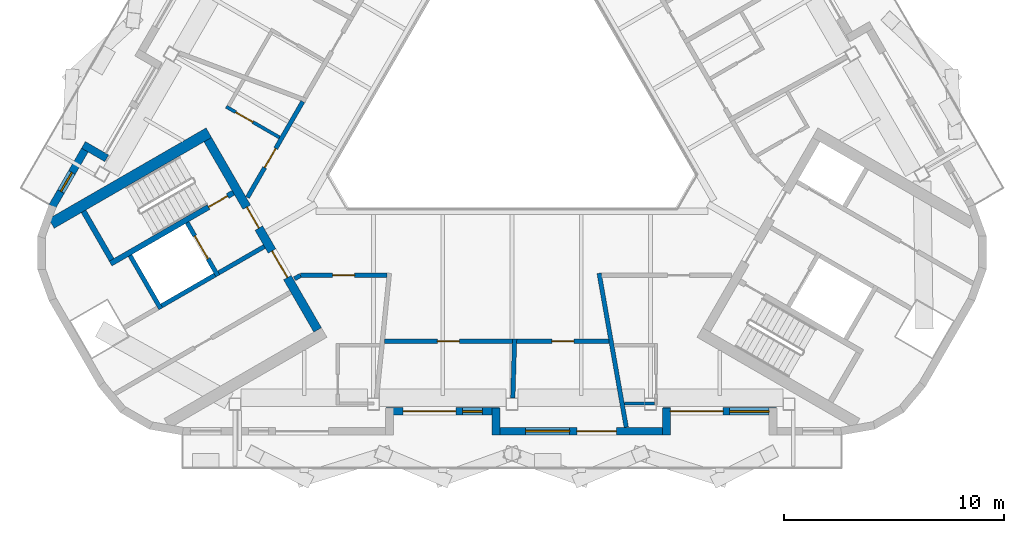
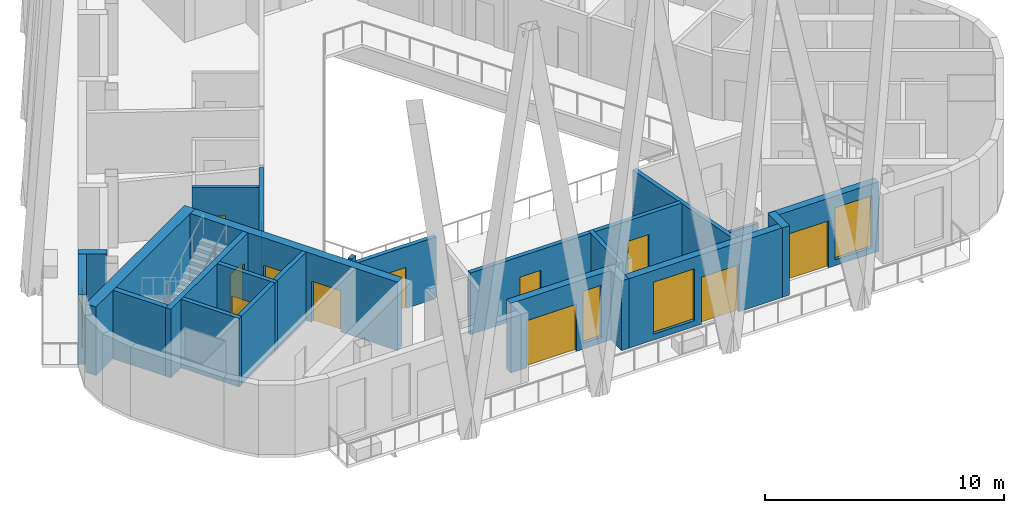
# One storey, part 3 of 12: 24 walls, 12 doors, 4 windows, 16 openings.
"""IFC4 building model written with IfcOpenShell, lengths in metres."""

from ifc_helpers import new_model, si_unit, direction, frame, frame_2d, origin, place, context, subcontext, project, spatial, rectangle, extrude, material, layer, layer_set, type_object, element, fill, save


model = new_model("IFC4")

# Units and contexts
model_context = context("Model", 3, precision=1e-05, world=origin(), true_north=direction((0.0, 1.0)))
body_context = subcontext(model_context, "Body", "Model", "MODEL_VIEW")
ifc_project = project(units=[si_unit("LENGTHUNIT", "METRE"), si_unit("AREAUNIT", "SQUARE_METRE"), si_unit("VOLUMEUNIT", "CUBIC_METRE"), si_unit("PLANEANGLEUNIT", "RADIAN"), si_unit("MASSUNIT", "GRAM", prefix="KILO")], contexts=[model_context])

# Site, building, storey
site_placement = place(None, origin())
site = spatial("IfcSite", under=ifc_project, at=site_placement, CompositionType="ELEMENT")
building_placement = place(site_placement, origin())
building = spatial("IfcBuilding", under=site, at=building_placement, Name="Apuvela Tower Hotel", CompositionType="ELEMENT")
storey_placement = place(building_placement, frame((0.0, 0.0, 324.39990234375)))
storey = spatial("IfcBuildingStorey", under=building, at=storey_placement, Name="L81", CompositionType="ELEMENT", Elevation=324.39990234375)

# Wall, openings, doors
ifc_material_1 = material(Name="Concrete C50/60", Category="concrete")
ifc_layer_1 = layer(ifc_material_1, 0.39990234375)
ifc_layer_set_1 = layer_set([ifc_layer_1], Name="COR-WALL-CORE-400")
wall_type_1 = type_object("IfcWallType", Name="COR-WALL-CORE-400", PredefinedType="SHEAR", material=ifc_layer_set_1)
wall_1_placement = place(storey_placement, frame((-13.844970703125, -2.219970703125, 0.0), z_axis=(0.0, 0.0, 1.0), x_axis=(0.500004234368, -0.866022959057, 0.0)))
wall_1 = element("IfcWall", 1, at=wall_1_placement, inside=storey, type_object=wall_type_1, Name="Core wall SW", PredefinedType="SHEAR", context=body_context, shape_type="SweptSolid", body=[
    extrude(rectangle(XDim=10.0, YDim=0.39990234375, at=frame_2d((5.0, 0.0))), origin(), (0.0, 0.0, 1.0), 3.5),
])
opening_1_placement = place(wall_1_placement, frame((3.550048828125, 0.0, 0.0)))
opening_1 = element("IfcOpeningElement", 2, at=opening_1_placement, cuts=wall_1, Name="Opening W-FD", PredefinedType="OPENING", context=body_context, shape_type="SweptSolid", body=[
    extrude(rectangle(XDim=1.10009765625, YDim=2.10009765625, at=frame_2d((0.550048828125, 1.050048828125))), frame((0.0, 0.2099609375, 0.0), z_axis=(0.0, -1.0, 0.0), x_axis=(1.0, 0.0, 0.0)), (0.0, 0.0, 1.0), 0.419921875),
])
opening_2_placement = place(wall_1_placement, frame((5.85009765625, 0.0, 0.0)))
opening_2 = element("IfcOpeningElement", 3, at=opening_2_placement, cuts=wall_1, Name="Opening W-GD", PredefinedType="OPENING", context=body_context, shape_type="SweptSolid", body=[
    extrude(rectangle(XDim=1.39990234375, YDim=2.10009765625, at=frame_2d((0.699951171875, 1.050048828125))), frame((0.0, 0.2099609375, 0.0), z_axis=(0.0, -1.0, 0.0), x_axis=(1.0, 0.0, 0.0)), (0.0, 0.0, 1.0), 0.419921875),
])
ifc_material_2 = material(Name="Steel fire door, powder coated", Category="steel")
door_type_1 = type_object("IfcDoorType", Name="COR-FD-1100", OperationType="NOTDEFINED", PredefinedType="DOOR", material=ifc_material_2)
door_1_placement = place(opening_1_placement, frame((1.10009765625, 0.0, 0.0), z_axis=(0.0, 0.0, 1.0), x_axis=(-1.0, 0.0, 0.0)))
door_1 = element("IfcDoor", 4, at=door_1_placement, inside=storey, type_object=door_type_1, Name="Firefighting lobby door W-FD", OperationType="SINGLE_SWING_LEFT", OverallHeight=2.10009765625, OverallWidth=1.10009765625, PredefinedType="DOOR", context=body_context, shape_type="SweptSolid", body=[
    extrude(rectangle(XDim=1.10009765625, YDim=2.10009765625, at=frame_2d((0.550048828125, 1.050048828125))), frame((0.0, 0.02490234375, 0.0), z_axis=(0.0, -1.0, 0.0), x_axis=(1.0, 0.0, 0.0)), (0.0, 0.0, 1.0), 0.050048828125),
])
fill(opening_1, door_1)
ifc_material_3 = material(Name="Glazed steel fire door", Category="steel")
door_type_2 = type_object("IfcDoorType", Name="COR-GD-1400", OperationType="DOUBLE_DOOR_SINGLE_SWING", PredefinedType="DOOR", material=ifc_material_3)
door_2_placement = place(opening_2_placement, frame((1.39990234375, 0.0, 0.0), z_axis=(0.0, 0.0, 1.0), x_axis=(-1.0, 0.0, 0.0)))
door_2 = element("IfcDoor", 5, at=door_2_placement, inside=storey, type_object=door_type_2, Name="Lift lobby door W-GD", OperationType="DOUBLE_DOOR_SINGLE_SWING", OverallHeight=2.10009765625, OverallWidth=1.39990234375, PredefinedType="DOOR", context=body_context, shape_type="SweptSolid", body=[
    extrude(rectangle(XDim=1.39990234375, YDim=2.10009765625, at=frame_2d((0.699951171875, 1.050048828125))), frame((0.0, 0.02490234375, 0.0), z_axis=(0.0, -1.0, 0.0), x_axis=(1.0, 0.0, 0.0)), (0.0, 0.0, 1.0), 0.050048828125),
])
fill(opening_2, door_2)

# Walls
ifc_layer_2 = layer(ifc_material_1, 0.5)
ifc_layer_set_2 = layer_set([ifc_layer_2], Name="COR-WALL-CORE-500")
wall_type_2 = type_object("IfcWallType", Name="COR-WALL-CORE-500", PredefinedType="SHEAR", material=ifc_layer_set_2)
wall_2_placement = place(storey_placement, frame((-13.796630859375, -1.9033203125, 0.0), z_axis=(0.0, 0.0, 1.0), x_axis=(-0.866030186143, -0.49999171662, 0.0)))
element("IfcWall", 6, at=wall_2_placement, inside=storey, type_object=wall_type_2, Name="Core wall SW", PredefinedType="SHEAR", context=body_context, shape_type="SweptSolid", body=[
    extrude(rectangle(XDim=8.267333984375, YDim=0.5, at=frame_2d((4.1337890625, 0.0))), origin(), (0.0, 0.0, 1.0), 3.5),
])
ifc_layer_3 = layer(ifc_material_1, 0.199951171875)
ifc_layer_set_3 = layer_set([ifc_layer_3], Name="COR-WALL-SHAFT-200")
wall_type_3 = type_object("IfcWallType", Name="COR-WALL-SHAFT-200", PredefinedType="SHEAR", material=ifc_layer_set_3)
wall_3_placement = place(storey_placement, frame((-17.38134765625, -7.49462890625, 0.0), z_axis=(0.0, 0.0, 1.0), x_axis=(0.500011755427, -0.866018616679, 0.0)))
element("IfcWall", 7, at=wall_3_placement, inside=storey, type_object=wall_type_3, Name="Shaft wall SW", PredefinedType="SHEAR", context=body_context, shape_type="SweptSolid", body=[
    extrude(rectangle(XDim=2.80029296875, YDim=0.199951171875, at=frame_2d((1.400146484375, 0.0))), origin(), (0.0, 0.0, 1.0), 3.5),
])

# Wall, opening, door
wall_4_placement = place(storey_placement, frame((-14.783203125, -5.99462890625, 0.0), z_axis=(0.0, 0.0, 1.0), x_axis=(0.49994636267, -0.866056369097, 0.0)))
wall_4 = element("IfcWall", 8, at=wall_4_placement, inside=storey, type_object=wall_type_3, Name="Shaft wall SW", PredefinedType="SHEAR", context=body_context, shape_type="SweptSolid", body=[
    extrude(rectangle(XDim=2.800048828125, YDim=0.199951171875, at=frame_2d((1.39990234375, 0.0))), origin(), (0.0, 0.0, 1.0), 3.5),
])
opening_3_placement = place(wall_4_placement, frame((0.699951171875, 0.0, 0.0)))
opening_3 = element("IfcOpeningElement", 9, at=opening_3_placement, cuts=wall_4, Name="Opening W-LD-FS2", PredefinedType="OPENING", context=body_context, shape_type="SweptSolid", body=[
    extrude(rectangle(XDim=1.199951171875, YDim=2.10009765625, at=frame_2d((0.60009765625, 1.050048828125))), frame((0.0, 0.10986328125, 0.0), z_axis=(0.0, -1.0, 0.0), x_axis=(1.0, 0.0, 0.0)), (0.0, 0.0, 1.0), 0.219970703125),
])
ifc_material_4 = material(Name="Stainless steel lift landing door", Category="steel")
door_type_3 = type_object("IfcDoorType", Name="COR-LD-1200", OperationType="DOUBLE_DOOR_SLIDING", PredefinedType="DOOR", material=ifc_material_4)
door_3_placement = place(opening_3_placement, origin())
door_3 = element("IfcDoor", 10, at=door_3_placement, inside=storey, type_object=door_type_3, Name="Lift landing door W-LD-FS2", OperationType="DOUBLE_DOOR_SLIDING", OverallHeight=2.10009765625, OverallWidth=1.199951171875, PredefinedType="DOOR", context=body_context, shape_type="SweptSolid", body=[
    extrude(rectangle(XDim=1.199951171875, YDim=2.10009765625, at=frame_2d((0.60009765625, 1.050048828125))), frame((0.0, 0.02490234375, 0.0), z_axis=(0.0, -1.0, 0.0), x_axis=(1.0, 0.0, 0.0)), (0.0, 0.0, 1.0), 0.050048828125),
])
fill(opening_3, door_3)

# Walls
wall_5_placement = place(storey_placement, frame((-13.519775390625, -8.383056640625, 0.0), z_axis=(0.0, 0.0, 1.0), x_axis=(-0.866034573852, -0.49998411664, 0.0)))
element("IfcWall", 11, at=wall_5_placement, inside=storey, type_object=wall_type_3, Name="Shaft wall SW", PredefinedType="SHEAR", context=body_context, shape_type="SweptSolid", body=[
    extrude(rectangle(XDim=2.7998046875, YDim=0.199951171875, at=frame_2d((1.39990234375, 0.0))), origin(), (0.0, 0.0, 1.0), 3.5),
])
wall_6_placement = place(storey_placement, frame((-11.26806640625, -7.0830078125, 0.0), z_axis=(0.0, 0.0, 1.0), x_axis=(-0.866050077142, -0.499957262057, 0.0)))
element("IfcWall", 12, at=wall_6_placement, inside=storey, type_object=wall_type_3, Name="Shaft wall SW", PredefinedType="SHEAR", context=body_context, shape_type="SweptSolid", body=[
    extrude(rectangle(XDim=2.400146484375, YDim=0.199951171875, at=frame_2d((1.2001953125, 0.0))), origin(), (0.0, 0.0, 1.0), 3.5),
])

# Wall, opening, door
ifc_layer_4 = layer(ifc_material_1, 0.25)
ifc_layer_set_4 = layer_set([ifc_layer_4], Name="COR-WALL-STAIR-250")
wall_type_4 = type_object("IfcWallType", Name="COR-WALL-STAIR-250", PredefinedType="SHEAR", material=ifc_layer_set_4)
wall_7_placement = place(storey_placement, frame((-12.6806640625, -4.636474609375, 0.0), z_axis=(0.0, 0.0, 1.0), x_axis=(-0.866021702275, -0.500006411147, 0.0)))
wall_7 = element("IfcWall", 13, at=wall_7_placement, inside=storey, type_object=wall_type_4, Name="Stair wall SW", PredefinedType="SHEAR", context=body_context, shape_type="SweptSolid", body=[
    extrude(rectangle(XDim=6.4501953125, YDim=0.25, at=frame_2d((3.22509765625, 0.0))), origin(), (0.0, 0.0, 1.0), 3.5),
])
opening_4_placement = place(wall_7_placement, frame((0.300048828125, 0.0, 0.0)))
opening_4 = element("IfcOpeningElement", 14, at=opening_4_placement, cuts=wall_7, Name="Opening W-SD", PredefinedType="OPENING", context=body_context, shape_type="SweptSolid", body=[
    extrude(rectangle(XDim=1.0, YDim=2.10009765625, at=frame_2d((0.5, 1.050048828125))), frame((0.0, 0.135009765625, 0.0), z_axis=(0.0, -1.0, 0.0), x_axis=(1.0, 0.0, 0.0)), (0.0, 0.0, 1.0), 0.27001953125),
])
door_type_4 = type_object("IfcDoorType", Name="COR-SD-1000", OperationType="NOTDEFINED", PredefinedType="DOOR", material=ifc_material_2)
door_4_placement = place(opening_4_placement, frame((1.0, 0.0, 0.0), z_axis=(0.0, 0.0, 1.0), x_axis=(-1.0, 0.0, 0.0)))
door_4 = element("IfcDoor", 15, at=door_4_placement, inside=storey, type_object=door_type_4, Name="Stair door W-SD", OperationType="SINGLE_SWING_LEFT", OverallHeight=2.10009765625, OverallWidth=1.0, PredefinedType="DOOR", context=body_context, shape_type="SweptSolid", body=[
    extrude(rectangle(XDim=1.0, YDim=2.10009765625, at=frame_2d((0.5, 1.050048828125))), frame((0.0, 0.02490234375, 0.0), z_axis=(0.0, -1.0, 0.0), x_axis=(1.0, 0.0, 0.0)), (0.0, 0.0, 1.0), 0.050048828125),
])
fill(opening_4, door_4)

# Walls
wall_8_placement = place(storey_placement, frame((-19.49560546875, -5.482421875, 0.0), z_axis=(0.0, 0.0, 1.0), x_axis=(0.499990435942, -0.866030925526, 0.0)))
element("IfcWall", 16, at=wall_8_placement, inside=storey, type_object=wall_type_4, Name="Stair wall SW", PredefinedType="SHEAR", context=body_context, shape_type="SweptSolid", body=[
    extrude(rectangle(XDim=2.5498046875, YDim=0.25, at=frame_2d((1.27490234375, 0.0))), origin(), (0.0, 0.0, 1.0), 3.5),
])
ifc_material_5 = material(Name="Concrete C40/50, dark pigmented precast panel", Category="concrete")
ifc_layer_5 = layer(ifc_material_5, 0.35009765625)
ifc_layer_set_5 = layer_set([ifc_layer_5], Name="ENV-WALL-350")
wall_type_5 = type_object("IfcWallType", Name="ENV-WALL-350", PredefinedType="SOLIDWALL", material=ifc_layer_set_5)
wall_9_placement = place(storey_placement, frame((-18.445556640625, -3.068115234375, 0.0), z_axis=(0.0, 0.0, 1.0), x_axis=(-0.866005645448, 0.500034220881, 0.0)))
element("IfcWall", 17, at=wall_9_placement, inside=storey, type_object=wall_type_5, Name="External wall L81-08", PredefinedType="SOLIDWALL", context=body_context, shape_type="SweptSolid", body=[
    extrude(rectangle(XDim=1.22021484375, YDim=0.35009765625, at=frame_2d((0.610107421875, 0.0))), origin(), (0.0, 0.0, 1.0), 3.550048828125),
])

# Wall, opening, window
wall_10_placement = place(storey_placement, frame((-19.26318359375, -2.39404296875, 0.0), z_axis=(0.0, 0.0, 1.0), x_axis=(-0.500022895934, -0.866012184407, 0.0)))
wall_10 = element("IfcWall", 18, at=wall_10_placement, inside=storey, type_object=wall_type_5, Name="External wall L81-09", PredefinedType="SOLIDWALL", context=body_context, shape_type="SweptSolid", body=[
    extrude(rectangle(XDim=3.305908203125, YDim=0.35009765625, at=frame_2d((1.65283203125, 0.0))), origin(), (0.0, 0.0, 1.0), 3.550048828125),
])
opening_5_placement = place(wall_10_placement, frame((1.52490234375, 0.0, 0.300048828125)))
opening_5 = element("IfcOpeningElement", 19, at=opening_5_placement, cuts=wall_10, Name="Opening WN10", PredefinedType="OPENING", context=body_context, shape_type="SweptSolid", body=[
    extrude(rectangle(XDim=1.0, YDim=2.64990234375, at=frame_2d((0.5, 1.324951171875))), frame((0.0, 0.18505859375, 0.0), z_axis=(0.0, -1.0, 0.0), x_axis=(1.0, 0.0, 0.0)), (0.0, 0.0, 1.0), 0.3701171875),
])
ifc_material_6 = material(Name="Glass, dark tinted laminated insulated glazing unit", Category="glass")
window_type_1 = type_object("IfcWindowType", Name="ENV-WIN-1000x2650", PartitioningType="SINGLE_PANEL", PredefinedType="WINDOW", material=ifc_material_6)
window_1_placement = place(opening_5_placement, origin())
window_1 = element("IfcWindow", 20, at=window_1_placement, inside=storey, type_object=window_type_1, Name="Window WN10", OverallHeight=2.64990234375, OverallWidth=1.0, PartitioningType="SINGLE_PANEL", PredefinedType="WINDOW", context=body_context, shape_type="SweptSolid", body=[
    extrude(rectangle(XDim=1.0, YDim=2.64990234375, at=frame_2d((0.5, 1.324951171875))), frame((0.0, 0.030029296875, 0.0), z_axis=(0.0, -1.0, 0.0), x_axis=(1.0, 0.0, 0.0)), (0.0, 0.0, 1.0), 0.06005859375),
])
fill(opening_5, window_1)

# Wall, openings, door, window
wall_11_placement = place(storey_placement, frame((-5.722412109375, -14.58544921875, 0.0), z_axis=(0.0, 0.0, 1.0), x_axis=(1.0, 0.0, 0.0)))
wall_11 = element("IfcWall", 21, at=wall_11_placement, inside=storey, type_object=wall_type_5, Name="External wall L81-19", PredefinedType="SOLIDWALL", context=body_context, shape_type="SweptSolid", body=[
    extrude(rectangle(XDim=5.142333984375, YDim=0.35009765625, at=frame_2d((2.5712890625, 0.0))), origin(), (0.0, 0.0, 1.0), 3.550048828125),
])
opening_6_placement = place(wall_11_placement, frame((0.77001953125, 0.0, 0.0)))
opening_6 = element("IfcOpeningElement", 22, at=opening_6_placement, cuts=wall_11, Name="Opening BD24", PredefinedType="OPENING", context=body_context, shape_type="SweptSolid", body=[
    extrude(rectangle(XDim=2.39990234375, YDim=2.39990234375, at=frame_2d((1.199951171875, 1.199951171875))), frame((0.0, 0.18505859375, 0.0), z_axis=(0.0, -1.0, 0.0), x_axis=(1.0, 0.0, 0.0)), (0.0, 0.0, 1.0), 0.3701171875),
])
opening_7_placement = place(wall_11_placement, frame((3.469970703125, 0.0, 0.300048828125)))
opening_7 = element("IfcOpeningElement", 23, at=opening_7_placement, cuts=wall_11, Name="Opening WN09", PredefinedType="OPENING", context=body_context, shape_type="SweptSolid", body=[
    extrude(rectangle(XDim=0.89990234375, YDim=2.64990234375, at=frame_2d((0.449951171875, 1.324951171875))), frame((0.0, 0.18505859375, 0.0), z_axis=(0.0, -1.0, 0.0), x_axis=(1.0, 0.0, 0.0)), (0.0, 0.0, 1.0), 0.3701171875),
])
ifc_material_7 = material(Name="Aluminium 6063-T6, dark bronze anodised frame with dark tinted laminated glass", Category="aluminium")
door_type_5 = type_object("IfcDoorType", Name="ENV-DOOR-BALCONY-2400x2400", OperationType="SLIDING_TO_LEFT", PredefinedType="DOOR", material=ifc_material_7)
door_5_placement = place(opening_6_placement, frame((2.39990234375, 0.0, 0.0), z_axis=(0.0, 0.0, 1.0), x_axis=(-1.0, 0.0, 0.0)))
door_5 = element("IfcDoor", 24, at=door_5_placement, inside=storey, type_object=door_type_5, Name="Balcony door BD24", OperationType="SLIDING_TO_LEFT", OverallHeight=2.39990234375, OverallWidth=2.39990234375, PredefinedType="DOOR", context=body_context, shape_type="SweptSolid", body=[
    extrude(rectangle(XDim=2.39990234375, YDim=2.39990234375, at=frame_2d((1.199951171875, 1.199951171875))), frame((0.0, 0.02490234375, 0.0), z_axis=(0.0, -1.0, 0.0), x_axis=(1.0, 0.0, 0.0)), (0.0, 0.0, 1.0), 0.050048828125),
])
fill(opening_6, door_5)
window_type_2 = type_object("IfcWindowType", Name="ENV-WIN-900x2650", PartitioningType="SINGLE_PANEL", PredefinedType="WINDOW", material=ifc_material_6)
window_2_placement = place(opening_7_placement, origin())
window_2 = element("IfcWindow", 25, at=window_2_placement, inside=storey, type_object=window_type_2, Name="Window WN09", OverallHeight=2.64990234375, OverallWidth=0.89990234375, PartitioningType="SINGLE_PANEL", PredefinedType="WINDOW", context=body_context, shape_type="SweptSolid", body=[
    extrude(rectangle(XDim=0.89990234375, YDim=2.64990234375, at=frame_2d((0.449951171875, 1.324951171875))), frame((0.0, 0.030029296875, 0.0), z_axis=(0.0, -1.0, 0.0), x_axis=(1.0, 0.0, 0.0)), (0.0, 0.0, 1.0), 0.06005859375),
])
fill(opening_7, window_2)

# Wall
wall_12_placement = place(storey_placement, frame((-0.72509765625, -14.4404296875, 0.0), z_axis=(0.0, 0.0, 1.0), x_axis=(0.0, -1.0, 0.0)))
element("IfcWall", 26, at=wall_12_placement, inside=storey, type_object=wall_type_5, Name="External wall L81-20", PredefinedType="SOLIDWALL", context=body_context, shape_type="SweptSolid", body=[
    extrude(rectangle(XDim=1.219970703125, YDim=0.35009765625, at=frame_2d((0.60986328125, 0.0))), origin(), (0.0, 0.0, 1.0), 3.550048828125),
])

# Wall, openings, door, window
wall_13_placement = place(storey_placement, frame((-0.89990234375, -15.4853515625, 0.0), z_axis=(0.0, 0.0, 1.0), x_axis=(1.0, 0.0, 0.0)))
wall_13 = element("IfcWall", 27, at=wall_13_placement, inside=storey, type_object=wall_type_5, Name="External wall L81-21", PredefinedType="SOLIDWALL", context=body_context, shape_type="SweptSolid", body=[
    extrude(rectangle(XDim=8.102294921875, YDim=0.35009765625, at=frame_2d((4.05126953125, 0.0))), origin(), (0.0, 0.0, 1.0), 3.550048828125),
])
opening_8_placement = place(wall_13_placement, frame((3.8486328125, 0.0, 0.0)))
opening_8 = element("IfcOpeningElement", 28, at=opening_8_placement, cuts=wall_13, Name="Opening BD18", PredefinedType="OPENING", context=body_context, shape_type="SweptSolid", body=[
    extrude(rectangle(XDim=1.800048828125, YDim=2.39990234375, at=frame_2d((0.89990234375, 1.199951171875))), frame((0.0, 0.18505859375, 0.0), z_axis=(0.0, -1.0, 0.0), x_axis=(1.0, 0.0, 0.0)), (0.0, 0.0, 1.0), 0.3701171875),
])
opening_9_placement = place(wall_13_placement, frame((1.525390625, 0.0, 0.300048828125)))
opening_9 = element("IfcOpeningElement", 29, at=opening_9_placement, cuts=wall_13, Name="Opening WN20", PredefinedType="OPENING", context=body_context, shape_type="SweptSolid", body=[
    extrude(rectangle(XDim=2.0, YDim=2.64990234375, at=frame_2d((1.0, 1.324951171875))), frame((0.0, 0.18505859375, 0.0), z_axis=(0.0, -1.0, 0.0), x_axis=(1.0, 0.0, 0.0)), (0.0, 0.0, 1.0), 0.3701171875),
])
door_type_6 = type_object("IfcDoorType", Name="ENV-DOOR-BALCONY-1800x2400", OperationType="SLIDING_TO_LEFT", PredefinedType="DOOR", material=ifc_material_7)
door_6_placement = place(opening_8_placement, frame((1.800048828125, 0.0, 0.0), z_axis=(0.0, 0.0, 1.0), x_axis=(-1.0, 0.0, 0.0)))
door_6 = element("IfcDoor", 30, at=door_6_placement, inside=storey, type_object=door_type_6, Name="Balcony door BD18", OperationType="SLIDING_TO_LEFT", OverallHeight=2.39990234375, OverallWidth=1.800048828125, PredefinedType="DOOR", context=body_context, shape_type="SweptSolid", body=[
    extrude(rectangle(XDim=1.800048828125, YDim=2.39990234375, at=frame_2d((0.89990234375, 1.199951171875))), frame((0.0, 0.02490234375, 0.0), z_axis=(0.0, -1.0, 0.0), x_axis=(1.0, 0.0, 0.0)), (0.0, 0.0, 1.0), 0.050048828125),
])
fill(opening_8, door_6)
window_type_3 = type_object("IfcWindowType", Name="ENV-WIN-2000x2650", PartitioningType="SINGLE_PANEL", PredefinedType="WINDOW", material=ifc_material_6)
window_3_placement = place(opening_9_placement, origin())
window_3 = element("IfcWindow", 31, at=window_3_placement, inside=storey, type_object=window_type_3, Name="Window WN20", OverallHeight=2.64990234375, OverallWidth=2.0, PartitioningType="SINGLE_PANEL", PredefinedType="WINDOW", context=body_context, shape_type="SweptSolid", body=[
    extrude(rectangle(XDim=2.0, YDim=2.64990234375, at=frame_2d((1.0, 1.324951171875))), frame((0.0, 0.030029296875, 0.0), z_axis=(0.0, -1.0, 0.0), x_axis=(1.0, 0.0, 0.0)), (0.0, 0.0, 1.0), 0.06005859375),
])
fill(opening_9, window_3)

# Wall
wall_14_placement = place(storey_placement, frame((7.02734375, -15.660400390625, 0.0), z_axis=(0.0, 0.0, 1.0), x_axis=(0.0, 1.0, 0.0)))
element("IfcWall", 32, at=wall_14_placement, inside=storey, type_object=wall_type_5, Name="External wall L81-22", PredefinedType="SOLIDWALL", context=body_context, shape_type="SweptSolid", body=[
    extrude(rectangle(XDim=1.219970703125, YDim=0.35009765625, at=frame_2d((0.60986328125, 0.0))), origin(), (0.0, 0.0, 1.0), 3.550048828125),
])

# Wall, openings, door, window
wall_15_placement = place(storey_placement, frame((6.88232421875, -14.58544921875, 0.0), z_axis=(0.0, 0.0, 1.0), x_axis=(1.0, 0.0, 0.0)))
wall_15 = element("IfcWall", 33, at=wall_15_placement, inside=storey, type_object=wall_type_5, Name="External wall L81-23", PredefinedType="SOLIDWALL", context=body_context, shape_type="SweptSolid", body=[
    extrude(rectangle(XDim=5.142578125, YDim=0.35009765625, at=frame_2d((2.5712890625, 0.0))), origin(), (0.0, 0.0, 1.0), 3.550048828125),
])
opening_10_placement = place(wall_15_placement, frame((0.320068359375, 0.0, 0.0)))
opening_10 = element("IfcOpeningElement", 34, at=opening_10_placement, cuts=wall_15, Name="Opening BD24", PredefinedType="OPENING", context=body_context, shape_type="SweptSolid", body=[
    extrude(rectangle(XDim=2.39990234375, YDim=2.39990234375, at=frame_2d((1.199951171875, 1.199951171875))), frame((0.0, 0.18505859375, 0.0), z_axis=(0.0, -1.0, 0.0), x_axis=(1.0, 0.0, 0.0)), (0.0, 0.0, 1.0), 0.3701171875),
])
opening_11_placement = place(wall_15_placement, frame((3.02001953125, 0.0, 0.300048828125)))
opening_11 = element("IfcOpeningElement", 35, at=opening_11_placement, cuts=wall_15, Name="Opening WN18", PredefinedType="OPENING", context=body_context, shape_type="SweptSolid", body=[
    extrude(rectangle(XDim=1.800048828125, YDim=2.64990234375, at=frame_2d((0.89990234375, 1.324951171875))), frame((0.0, 0.18505859375, 0.0), z_axis=(0.0, -1.0, 0.0), x_axis=(1.0, 0.0, 0.0)), (0.0, 0.0, 1.0), 0.3701171875),
])
door_7_placement = place(opening_10_placement, frame((2.39990234375, 0.0, 0.0), z_axis=(0.0, 0.0, 1.0), x_axis=(-1.0, 0.0, 0.0)))
door_7 = element("IfcDoor", 36, at=door_7_placement, inside=storey, type_object=door_type_5, Name="Balcony door BD24", OperationType="SLIDING_TO_LEFT", OverallHeight=2.39990234375, OverallWidth=2.39990234375, PredefinedType="DOOR", context=body_context, shape_type="SweptSolid", body=[
    extrude(rectangle(XDim=2.39990234375, YDim=2.39990234375, at=frame_2d((1.199951171875, 1.199951171875))), frame((0.0, 0.02490234375, 0.0), z_axis=(0.0, -1.0, 0.0), x_axis=(1.0, 0.0, 0.0)), (0.0, 0.0, 1.0), 0.050048828125),
])
fill(opening_10, door_7)
window_type_4 = type_object("IfcWindowType", Name="ENV-WIN-1800x2650", PartitioningType="SINGLE_PANEL", PredefinedType="WINDOW", material=ifc_material_6)
window_4_placement = place(opening_11_placement, origin())
window_4 = element("IfcWindow", 37, at=window_4_placement, inside=storey, type_object=window_type_4, Name="Window WN18", OverallHeight=2.64990234375, OverallWidth=1.800048828125, PartitioningType="SINGLE_PANEL", PredefinedType="WINDOW", context=body_context, shape_type="SweptSolid", body=[
    extrude(rectangle(XDim=1.800048828125, YDim=2.64990234375, at=frame_2d((0.89990234375, 1.324951171875))), frame((0.0, 0.030029296875, 0.0), z_axis=(0.0, -1.0, 0.0), x_axis=(1.0, 0.0, 0.0)), (0.0, 0.0, 1.0), 0.06005859375),
])
fill(opening_11, window_4)

# Walls
ifc_material_8 = material(Name="Gypsum board partition on twin steel stud", Category="steel")
ifc_layer_6 = layer(ifc_material_8, 0.199951171875)
ifc_layer_set_6 = layer_set([ifc_layer_6], Name="GST-PW1")
wall_type_6 = type_object("IfcWallType", Name="GST-PW1", PredefinedType="PARTITIONING", material=ifc_layer_set_6)
wall_16_placement = place(storey_placement, frame((0.038818359375, -13.9853515625, 0.0), z_axis=(0.0, 0.0, 1.0), x_axis=(0.029444451266, 0.999566418148, 0.0)))
element("IfcWall", 38, at=wall_16_placement, inside=storey, type_object=wall_type_6, Name="L81 partition 02", PredefinedType="PARTITIONING", context=body_context, shape_type="SweptSolid", body=[
    extrude(rectangle(XDim=2.6865234375, YDim=0.199951171875, at=frame_2d((1.34326171875, 0.0))), origin(), (0.0, 0.0, 1.0), 3.150146484375),
])
wall_17_placement = place(storey_placement, frame((5.199951171875, -15.310302734375, 0.0), z_axis=(0.0, 0.0, 1.0), x_axis=(-0.173513360602, 0.984831515384, 0.0)))
element("IfcWall", 39, at=wall_17_placement, inside=storey, type_object=wall_type_6, Name="L81 partition 03", PredefinedType="PARTITIONING", context=body_context, shape_type="SweptSolid", body=[
    extrude(rectangle(XDim=7.1181640625, YDim=0.199951171875, at=frame_2d((3.55908203125, 0.0))), origin(), (0.0, 0.0, 1.0), 3.10009765625),
])

# Wall, opening, door
ifc_material_9 = material(Name="Gypsum board corridor wall on twin steel stud, acoustic", Category="steel")
ifc_layer_7 = layer(ifc_material_9, 0.199951171875)
ifc_layer_set_7 = layer_set([ifc_layer_7], Name="GST-PW2")
wall_type_7 = type_object("IfcWallType", Name="GST-PW2", PredefinedType="PARTITIONING", material=ifc_layer_set_7)
wall_18_placement = place(storey_placement, frame((-5.690185546875, -8.39990234375, 0.0), z_axis=(0.0, 0.0, 1.0), x_axis=(-1.0, 0.0, 0.0)))
wall_18 = element("IfcWall", 40, at=wall_18_placement, inside=storey, type_object=wall_type_7, Name="L81 partition 10", PredefinedType="PARTITIONING", context=body_context, shape_type="SweptSolid", body=[
    extrude(rectangle(XDim=3.93896484375, YDim=0.199951171875, at=frame_2d((1.969482421875, 0.0))), origin(), (0.0, 0.0, 1.0), 3.150146484375),
])
opening_12_placement = place(wall_18_placement, frame((1.469482421875, 0.0, 0.0)))
opening_12 = element("IfcOpeningElement", 41, at=opening_12_placement, cuts=wall_18, Name="Opening GD35-02", PredefinedType="OPENING", context=body_context, shape_type="SweptSolid", body=[
    extrude(rectangle(XDim=1.0, YDim=2.10009765625, at=frame_2d((0.5, 1.050048828125))), frame((0.0, 0.10986328125, 0.0), z_axis=(0.0, -1.0, 0.0), x_axis=(1.0, 0.0, 0.0)), (0.0, 0.0, 1.0), 0.219970703125),
])
ifc_material_10 = material(Name="Timber door leaf in steel frame", Category="steel")
door_type_7 = type_object("IfcDoorType", Name="GST-D1", OperationType="NOTDEFINED", PredefinedType="DOOR", material=ifc_material_10)
door_8_placement = place(opening_12_placement, origin())
door_8 = element("IfcDoor", 42, at=door_8_placement, inside=storey, type_object=door_type_7, Name="Door L81-02", OperationType="SINGLE_SWING_RIGHT", OverallHeight=2.10009765625, OverallWidth=1.0, PredefinedType="DOOR", context=body_context, shape_type="SweptSolid", body=[
    extrude(rectangle(XDim=1.0, YDim=2.10009765625, at=frame_2d((0.5, 1.050048828125))), frame((0.0, 0.02490234375, 0.0), z_axis=(0.0, -1.0, 0.0), x_axis=(1.0, 0.0, 0.0)), (0.0, 0.0, 1.0), 0.050048828125),
])
fill(opening_12, door_8)

# Wall
wall_19_placement = place(storey_placement, frame((-9.629150390625, -8.39990234375, 0.0), z_axis=(0.0, 0.0, 1.0), x_axis=(-0.865963302823, -0.500107546598, 0.0)))
element("IfcWall", 43, at=wall_19_placement, inside=storey, type_object=wall_type_7, Name="L81 partition 11", PredefinedType="PARTITIONING", context=body_context, shape_type="SweptSolid", body=[
    extrude(rectangle(XDim=0.31103515625, YDim=0.199951171875, at=frame_2d((0.155517578125, 0.0))), origin(), (0.0, 0.0, 1.0), 3.550048828125),
])

# Wall, opening, door
wall_20_placement = place(storey_placement, frame((0.014892578125, -11.39990234375, 0.0), z_axis=(0.0, 0.0, 1.0), x_axis=(-1.0, 0.0, 0.0)))
wall_20 = element("IfcWall", 44, at=wall_20_placement, inside=storey, type_object=wall_type_7, Name="L81 partition 15", PredefinedType="PARTITIONING", context=body_context, shape_type="SweptSolid", body=[
    extrude(rectangle(XDim=5.8134765625, YDim=0.199951171875, at=frame_2d((2.90673828125, 0.0))), origin(), (0.0, 0.0, 1.0), 3.150146484375),
])
opening_13_placement = place(wall_20_placement, frame((2.40673828125, 0.0, 0.0)))
opening_13 = element("IfcOpeningElement", 45, at=opening_13_placement, cuts=wall_20, Name="Opening GD35-03", PredefinedType="OPENING", context=body_context, shape_type="SweptSolid", body=[
    extrude(rectangle(XDim=1.0, YDim=2.10009765625, at=frame_2d((0.5, 1.050048828125))), frame((0.0, 0.10986328125, 0.0), z_axis=(0.0, -1.0, 0.0), x_axis=(1.0, 0.0, 0.0)), (0.0, 0.0, 1.0), 0.219970703125),
])
door_9_placement = place(opening_13_placement, origin())
door_9 = element("IfcDoor", 46, at=door_9_placement, inside=storey, type_object=door_type_7, Name="Door L81-03", OperationType="SINGLE_SWING_LEFT", OverallHeight=2.10009765625, OverallWidth=1.0, PredefinedType="DOOR", context=body_context, shape_type="SweptSolid", body=[
    extrude(rectangle(XDim=1.0, YDim=2.10009765625, at=frame_2d((0.5, 1.050048828125))), frame((0.0, 0.02490234375, 0.0), z_axis=(0.0, -1.0, 0.0), x_axis=(1.0, 0.0, 0.0)), (0.0, 0.0, 1.0), 0.050048828125),
])
fill(opening_13, door_9)

wall_21_placement = place(storey_placement, frame((4.409423828125, -11.39990234375, 0.0), z_axis=(0.0, 0.0, 1.0), x_axis=(-1.0, 0.0, 0.0)))
wall_21 = element("IfcWall", 47, at=wall_21_placement, inside=storey, type_object=wall_type_7, Name="L81 partition 16", PredefinedType="PARTITIONING", context=body_context, shape_type="SweptSolid", body=[
    extrude(rectangle(XDim=4.194580078125, YDim=0.199951171875, at=frame_2d((2.09716796875, 0.0))), origin(), (0.0, 0.0, 1.0), 3.150146484375),
])
opening_14_placement = place(wall_21_placement, frame((1.59716796875, 0.0, 0.0)))
opening_14 = element("IfcOpeningElement", 48, at=opening_14_placement, cuts=wall_21, Name="Opening GD35-04", PredefinedType="OPENING", context=body_context, shape_type="SweptSolid", body=[
    extrude(rectangle(XDim=1.0, YDim=2.10009765625, at=frame_2d((0.5, 1.050048828125))), frame((0.0, 0.10986328125, 0.0), z_axis=(0.0, -1.0, 0.0), x_axis=(1.0, 0.0, 0.0)), (0.0, 0.0, 1.0), 0.219970703125),
])
door_10_placement = place(opening_14_placement, origin())
door_10 = element("IfcDoor", 49, at=door_10_placement, inside=storey, type_object=door_type_7, Name="Door L81-04", OperationType="SINGLE_SWING_LEFT", OverallHeight=2.10009765625, OverallWidth=1.0, PredefinedType="DOOR", context=body_context, shape_type="SweptSolid", body=[
    extrude(rectangle(XDim=1.0, YDim=2.10009765625, at=frame_2d((0.5, 1.050048828125))), frame((0.0, 0.02490234375, 0.0), z_axis=(0.0, -1.0, 0.0), x_axis=(1.0, 0.0, 0.0)), (0.0, 0.0, 1.0), 0.050048828125),
])
fill(opening_14, door_10)

wall_22_placement = place(storey_placement, frame((-12.037841796875, -4.85009765625, 0.0), z_axis=(0.0, 0.0, 1.0), x_axis=(0.500003693016, 0.86602327161, 0.0)))
wall_22 = element("IfcWall", 50, at=wall_22_placement, inside=storey, type_object=wall_type_7, Name="L81 partition 44", PredefinedType="PARTITIONING", context=body_context, shape_type="SweptSolid", body=[
    extrude(rectangle(XDim=5.03466796875, YDim=0.199951171875, at=frame_2d((2.517333984375, 0.0))), origin(), (0.0, 0.0, 1.0), 3.150146484375),
])
opening_15_placement = place(wall_22_placement, frame((1.567626953125, 0.0, 0.0)))
opening_15 = element("IfcOpeningElement", 51, at=opening_15_placement, cuts=wall_22, Name="Opening GD35-22", PredefinedType="OPENING", context=body_context, shape_type="SweptSolid", body=[
    extrude(rectangle(XDim=1.0, YDim=2.10009765625, at=frame_2d((0.5, 1.050048828125))), frame((0.0, 0.10986328125, 0.0), z_axis=(0.0, -1.0, 0.0), x_axis=(1.0, 0.0, 0.0)), (0.0, 0.0, 1.0), 0.219970703125),
])
door_11_placement = place(opening_15_placement, origin())
door_11 = element("IfcDoor", 52, at=door_11_placement, inside=storey, type_object=door_type_7, Name="Door L81-22", OperationType="SINGLE_SWING_LEFT", OverallHeight=2.10009765625, OverallWidth=1.0, PredefinedType="DOOR", context=body_context, shape_type="SweptSolid", body=[
    extrude(rectangle(XDim=1.0, YDim=2.10009765625, at=frame_2d((0.5, 1.050048828125))), frame((0.0, 0.02490234375, 0.0), z_axis=(0.0, -1.0, 0.0), x_axis=(1.0, 0.0, 0.0)), (0.0, 0.0, 1.0), 0.050048828125),
])
fill(opening_15, door_11)

# Wall
ifc_material_11 = material(Name="Moisture-resistant gypsum board wet wall on steel stud", Category="steel")
ifc_layer_8 = layer(ifc_material_11, 0.14990234375)
ifc_layer_set_8 = layer_set([ifc_layer_8], Name="GST-PW3")
wall_type_8 = type_object("IfcWallType", Name="GST-PW3", PredefinedType="PARTITIONING", material=ifc_layer_set_8)
wall_23_placement = place(storey_placement, frame((5.1103515625, -14.22509765625, 0.0), z_axis=(0.0, 0.0, 1.0), x_axis=(1.0, 0.0, 0.0)))
element("IfcWall", 53, at=wall_23_placement, inside=storey, type_object=wall_type_8, Name="L81 partition 19", PredefinedType="PARTITIONING", context=body_context, shape_type="SweptSolid", body=[
    extrude(rectangle(XDim=1.36962890625, YDim=0.14990234375, at=frame_2d((0.684814453125, 0.0))), origin(), (0.0, 0.0, 1.0), 3.10009765625),
])

# Wall, opening, door
wall_24_placement = place(storey_placement, frame((-13.0029296875, -0.7216796875, 0.0), z_axis=(0.0, 0.0, 1.0), x_axis=(0.866056369097, -0.49994636267, 0.0)))
wall_24 = element("IfcWall", 54, at=wall_24_placement, inside=storey, type_object=wall_type_8, Name="L81 partition 45", PredefinedType="PARTITIONING", context=body_context, shape_type="SweptSolid", body=[
    extrude(rectangle(XDim=2.800048828125, YDim=0.14990234375, at=frame_2d((1.39990234375, 0.0))), origin(), (0.0, 0.0, 1.0), 3.550048828125),
])
opening_16_placement = place(wall_24_placement, frame((0.5, 0.0, 0.0)))
opening_16 = element("IfcOpeningElement", 55, at=opening_16_placement, cuts=wall_24, Name="Opening GD35-21", PredefinedType="OPENING", context=body_context, shape_type="SweptSolid", body=[
    extrude(rectangle(XDim=0.89990234375, YDim=2.10009765625, at=frame_2d((0.449951171875, 1.050048828125))), frame((0.0, 0.0849609375, 0.0), z_axis=(0.0, -1.0, 0.0), x_axis=(1.0, 0.0, 0.0)), (0.0, 0.0, 1.0), 0.169921875),
])
door_type_8 = type_object("IfcDoorType", Name="GST-D2", OperationType="NOTDEFINED", PredefinedType="DOOR", material=ifc_material_10)
door_12_placement = place(opening_16_placement, origin())
door_12 = element("IfcDoor", 56, at=door_12_placement, inside=storey, type_object=door_type_8, Name="Door L81-21", OperationType="SINGLE_SWING_LEFT", OverallHeight=2.10009765625, OverallWidth=0.89990234375, PredefinedType="DOOR", context=body_context, shape_type="SweptSolid", body=[
    extrude(rectangle(XDim=0.89990234375, YDim=2.10009765625, at=frame_2d((0.449951171875, 1.050048828125))), frame((0.0, 0.02490234375, 0.0), z_axis=(0.0, -1.0, 0.0), x_axis=(1.0, 0.0, 0.0)), (0.0, 0.0, 1.0), 0.050048828125),
])
fill(opening_16, door_12)

save(model, "model.ifc")
